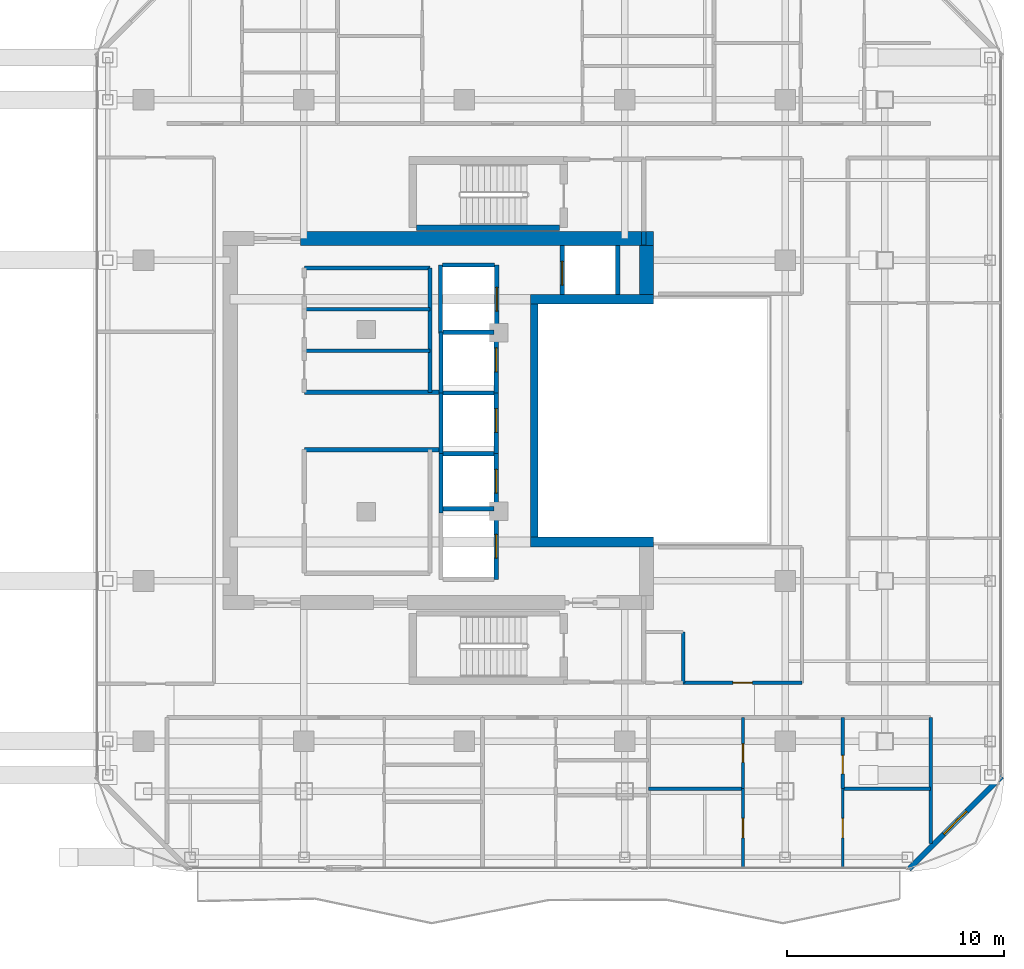
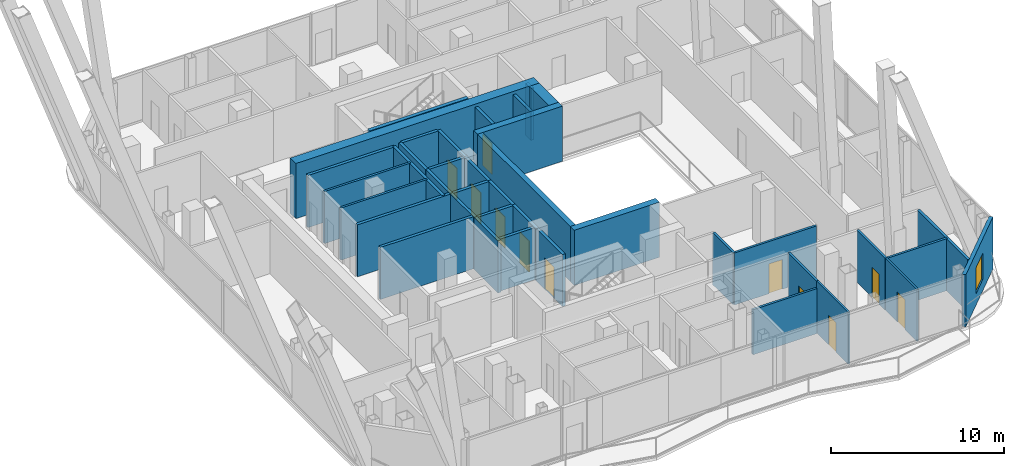
# One storey, part 22 of 27: 39 walls, 11 doors, 1 window, 12 openings.
"""IFC4 building model written with IfcOpenShell, lengths in metres."""

from ifc_helpers import new_model, si_unit, direction, frame, frame_2d, origin, place, context, subcontext, project, spatial, rectangle, extrude, material, layer, layer_set, type_object, element, fill, save


model = new_model("IFC4")

# Units and contexts
model_context = context("Model", 3, precision=1e-05, world=origin(), true_north=direction((0.0, 1.0)))
body_context = subcontext(model_context, "Body", "Model", "MODEL_VIEW")
ifc_project = project(units=[si_unit("LENGTHUNIT", "METRE"), si_unit("AREAUNIT", "SQUARE_METRE"), si_unit("VOLUMEUNIT", "CUBIC_METRE"), si_unit("PLANEANGLEUNIT", "RADIAN"), si_unit("MASSUNIT", "GRAM", prefix="KILO")], contexts=[model_context])

# Site, building, storey
site_placement = place(None, origin())
site = spatial("IfcSite", under=ifc_project, at=site_placement, CompositionType="ELEMENT")
building_placement = place(site_placement, origin())
building = spatial("IfcBuilding", under=site, at=building_placement, Name="Khorvyn Point Tower", CompositionType="ELEMENT")
storey_placement = place(building_placement, frame((0.0, 0.0, 270.300048828125)))
storey = spatial("IfcBuildingStorey", under=building, at=storey_placement, Name="L66", CompositionType="ELEMENT", Elevation=270.300048828125)

# Wall
ifc_material_1 = material(Name="Double acoustic gypsum on twin steel stud", Category="steel")
ifc_layer_1 = layer(ifc_material_1, 0.179931640625)
ifc_layer_set_1 = layer_set([ifc_layer_1], Name="Acoustic Double-Stud Apartment Demising Wall 180")
wall_type_1 = type_object("IfcWallType", Name="Acoustic Double-Stud Apartment Demising Wall 180", PredefinedType="PARTITIONING", material=ifc_layer_set_1)
wall_1_placement = place(storey_placement, frame((21.52001953125, -19.510009765625, 0.0), z_axis=(0.0, 0.0, 1.0), x_axis=(0.0, 1.0, 0.0)))
element("IfcWall", 1, at=wall_1_placement, inside=storey, type_object=wall_type_1, Name="Wall", PredefinedType="PARTITIONING", context=body_context, shape_type="SweptSolid", body=[
    extrude(rectangle(XDim=5.81005859375, YDim=0.179931640625, at=frame_2d((2.905029296875, 0.0))), origin(), (0.0, 0.0, 1.0), 3.679931640625),
])

# Wall, opening, window
ifc_material_2 = material(Name="Pale anodised aluminium rainscreen on steel stud", Category="steel")
ifc_layer_2 = layer(ifc_material_2, 0.239990234375)
ifc_layer_set_2 = layer_set([ifc_layer_2], Name="Anodised Aluminium Insulated Corner Spandrel Wall 240")
wall_type_2 = type_object("IfcWallType", Name="Anodised Aluminium Insulated Corner Spandrel Wall 240", PredefinedType="SOLIDWALL", material=ifc_layer_set_2)
wall_2_placement = place(storey_placement, frame((24.79248046875, -16.40771484375, 0.0), z_axis=(0.0, 0.0, 1.0), x_axis=(-0.707126925818, -0.707086635981, 0.0)))
wall_2 = element("IfcWall", 2, at=wall_2_placement, inside=storey, type_object=wall_type_2, Name="L66 Rounded Corner Wall SE", PredefinedType="SOLIDWALL", context=body_context, shape_type="SweptSolid", body=[
    extrude(rectangle(XDim=6.0595703125, YDim=0.239990234375, at=frame_2d((3.02978515625, 0.0))), origin(), (0.0, 0.0, 1.0), 3.679931640625),
])
opening_1_placement = place(wall_2_placement, frame((2.27978515625, 0.0, 0.800048828125)))
opening_1 = element("IfcOpeningElement", 3, at=opening_1_placement, cuts=wall_2, Name="Opening WN-1518", PredefinedType="OPENING", context=body_context, shape_type="SweptSolid", body=[
    extrude(rectangle(XDim=1.5, YDim=1.85009765625, at=frame_2d((0.75, 0.925048828125))), frame((0.0, 0.1298828125, 0.0), z_axis=(0.0, -1.0, 0.0), x_axis=(1.0, 0.0, 0.0)), (0.0, 0.0, 1.0), 0.260009765625),
])
ifc_material_3 = material(Name="Anodised aluminium 6063-T6 and laminated Low-E glass", Category="aluminium")
window_type = type_object("IfcWindowType", Name="Anodised Aluminium Rounded-Corner Panoramic Window 1500x1850", PartitioningType="SINGLE_PANEL", PredefinedType="WINDOW", material=ifc_material_3)
window_placement = place(opening_1_placement, origin())
window = element("IfcWindow", 4, at=window_placement, inside=storey, type_object=window_type, Name="L66 Corner Panoramic Window SE", OverallHeight=1.85009765625, OverallWidth=1.5, PartitioningType="SINGLE_PANEL", PredefinedType="WINDOW", context=body_context, shape_type="SweptSolid", body=[
    extrude(rectangle(XDim=1.5, YDim=1.85009765625, at=frame_2d((0.75, 0.925048828125))), frame((0.0, 0.030029296875, 0.0), z_axis=(0.0, -1.0, 0.0), x_axis=(1.0, 0.0, 0.0)), (0.0, 0.0, 1.0), 0.06005859375),
])
fill(opening_1, window)

# Walls
ifc_material_4 = material(Name="Concrete C40/50", Category="concrete")
ifc_layer_3 = layer(ifc_material_4, 0.449951171875)
ifc_layer_set_3 = layer_set([ifc_layer_3], Name="Concrete C40/50 Core Shear Wall 450")
wall_type_3 = type_object("IfcWallType", Name="Concrete C40/50 Core Shear Wall 450", PredefinedType="SHEAR", material=ifc_layer_set_3)
for number, where, z_axis, x_axis, name in (
    (5, (3.044921875, -5.60009765625, 0.0), (0.0, 0.0, 1.0), (1.0, 0.0, 0.0), "Wall"),
    (6, (3.044921875, 5.60009765625, 0.0), (0.0, 0.0, 1.0), (1.0, 0.0, 0.0), "Wall"),
):
    element("IfcWall", number, at=place(storey_placement, frame(where, z_axis=z_axis, x_axis=x_axis)), inside=storey, type_object=wall_type_3, Name=name, PredefinedType="SHEAR", context=body_context, shape_type="SweptSolid", body=[
        extrude(rectangle(XDim=5.68017578125, YDim=0.449951171875, at=frame_2d((2.840087890625, 0.0))), origin(), (0.0, 0.0, 1.0), 3.89990234375),
    ])
ifc_layer_4 = layer(ifc_material_4, 0.64990234375)
ifc_layer_set_4 = layer_set([ifc_layer_4], Name="Concrete C40/50 Core Shear Wall 650")
wall_type_4 = type_object("IfcWallType", Name="Concrete C40/50 Core Shear Wall 650", PredefinedType="SHEAR", material=ifc_layer_set_4)
wall_3_placement = place(storey_placement, frame((-7.550048828125, 8.39990234375, 0.0), z_axis=(0.0, 0.0, 1.0), x_axis=(1.0, 0.0, 0.0)))
element("IfcWall", 7, at=wall_3_placement, inside=storey, type_object=wall_type_4, Name="Wall", PredefinedType="SHEAR", context=body_context, shape_type="SweptSolid", body=[
    extrude(rectangle(XDim=16.275146484375, YDim=0.64990234375, at=frame_2d((8.1376953125, 0.0))), origin(), (0.0, 0.0, 1.0), 3.89990234375),
])
wall_4_placement = place(storey_placement, frame((8.39990234375, 5.824951171875, 0.0), z_axis=(0.0, 0.0, 1.0), x_axis=(0.0, 1.0, 0.0)))
element("IfcWall", 8, at=wall_4_placement, inside=storey, type_object=wall_type_4, Name="Wall", PredefinedType="SHEAR", context=body_context, shape_type="SweptSolid", body=[
    extrude(rectangle(XDim=2.25, YDim=0.64990234375, at=frame_2d((1.125, 0.0))), origin(), (0.0, 0.0, 1.0), 3.89990234375),
])
ifc_layer_5 = layer(ifc_material_4, 0.199951171875)
ifc_layer_set_5 = layer_set([ifc_layer_5], Name="Concrete C40/50 Fire-Lobby Compartment Wall 200")
wall_type_5 = type_object("IfcWallType", Name="Concrete C40/50 Fire-Lobby Compartment Wall 200", PredefinedType="SOLIDWALL", material=ifc_layer_set_5)
for number, where, z_axis, x_axis, name in (
    (9, (-7.3798828125, -1.340087890625, 0.0), (0.0, 0.0, 1.0), (1.0, 0.0, 0.0), "Wall"),
    (10, (-7.3798828125, 1.300048828125, 0.0), (0.0, 0.0, 1.0), (1.0, 0.0, 0.0), "Wall"),
):
    element("IfcWall", number, at=place(storey_placement, frame(where, z_axis=z_axis, x_axis=x_axis)), inside=storey, type_object=wall_type_5, Name=name, PredefinedType="SOLIDWALL", context=body_context, shape_type="SweptSolid", body=[
        extrude(rectangle(XDim=6.239990234375, YDim=0.199951171875, at=frame_2d((3.1201171875, 0.0))), origin(), (0.0, 0.0, 1.0), 3.679931640625),
    ])
wall_5_placement = place(storey_placement, frame((-1.580078125, 1.300048828125, 0.0), z_axis=(0.0, 0.0, 1.0), x_axis=(0.0, 1.0, 0.0)))
element("IfcWall", 11, at=wall_5_placement, inside=storey, type_object=wall_type_5, Name="Wall", PredefinedType="SOLIDWALL", context=body_context, shape_type="SweptSolid", body=[
    extrude(rectangle(XDim=5.739990234375, YDim=0.199951171875, at=frame_2d((2.8701171875, 0.0))), origin(), (0.0, 0.0, 1.0), 3.679931640625),
])
wall_6_placement = place(storey_placement, frame((-7.3798828125, 7.0400390625, 0.0), z_axis=(0.0, 0.0, 1.0), x_axis=(1.0, 0.0, 0.0)))
element("IfcWall", 12, at=wall_6_placement, inside=storey, type_object=wall_type_5, Name="Wall", PredefinedType="SOLIDWALL", context=body_context, shape_type="SweptSolid", body=[
    extrude(rectangle(XDim=5.7998046875, YDim=0.199951171875, at=frame_2d((2.89990234375, 0.0))), origin(), (0.0, 0.0, 1.0), 3.679931640625),
])
wall_7_placement = place(storey_placement, frame((8.280029296875, 8.10009765625, 0.0), z_axis=(0.0, 0.0, 1.0), x_axis=(0.0, 1.0, 0.0)))
element("IfcWall", 13, at=wall_7_placement, inside=storey, type_object=wall_type_5, Name="Wall", PredefinedType="SOLIDWALL", context=body_context, shape_type="SweptSolid", body=[
    extrude(rectangle(XDim=0.625, YDim=0.199951171875, at=frame_2d((0.3125, 0.0))), origin(), (0.0, 0.0, 1.0), 3.679931640625),
])
ifc_layer_6 = layer(ifc_material_4, 0.25)
ifc_layer_set_6 = layer_set([ifc_layer_6], Name="Concrete C40/50 Stair Inner Cheek Structural Wall 250")
wall_type_6 = type_object("IfcWallType", Name="Concrete C40/50 Stair Inner Cheek Structural Wall 250", PredefinedType="SHEAR", material=ifc_layer_set_6)
wall_8_placement = place(storey_placement, frame((-2.199951171875, 8.89990234375, 0.0), z_axis=(0.0, 0.0, 1.0), x_axis=(1.0, 0.0, 0.0)))
element("IfcWall", 14, at=wall_8_placement, inside=storey, type_object=wall_type_6, Name="Wall", PredefinedType="SHEAR", context=body_context, shape_type="SweptSolid", body=[
    extrude(rectangle(XDim=6.599853515625, YDim=0.25, at=frame_2d((3.2998046875, 0.0))), origin(), (0.0, 0.0, 1.0), 3.89990234375),
])
ifc_layer_7 = layer(ifc_material_4, 0.35009765625)
ifc_layer_set_7 = layer_set([ifc_layer_7], Name="Concrete C40/50 Stair Shaft Structural Wall 350")
wall_type_7 = type_object("IfcWallType", Name="Concrete C40/50 Stair Shaft Structural Wall 350", PredefinedType="SHEAR", material=ifc_layer_set_7)
wall_9_placement = place(storey_placement, frame((3.219970703125, -5.375, 0.0), z_axis=(0.0, 0.0, 1.0), x_axis=(0.0, 1.0, 0.0)))
element("IfcWall", 15, at=wall_9_placement, inside=storey, type_object=wall_type_7, Name="Wall", PredefinedType="SHEAR", context=body_context, shape_type="SweptSolid", body=[
    extrude(rectangle(XDim=10.75, YDim=0.35009765625, at=frame_2d((5.375, 0.0))), origin(), (0.0, 0.0, 1.0), 3.89990234375),
])
ifc_layer_8 = layer(ifc_material_4, 0.199951171875)
ifc_layer_set_8 = layer_set([ifc_layer_8], Name="Concrete C40/50 Structural Hoistway and Stair Shaft Wall 200")
wall_type_8 = type_object("IfcWallType", Name="Concrete C40/50 Structural Hoistway and Stair Shaft Wall 200", PredefinedType="SHEAR", material=ifc_layer_set_8)
wall_10_placement = place(storey_placement, frame((-1.074951171875, -4.27490234375, 0.0), z_axis=(0.0, 0.0, 1.0), x_axis=(0.0, 1.0, 0.0)))
element("IfcWall", 16, at=wall_10_placement, inside=storey, type_object=wall_type_8, Name="Wall", PredefinedType="SHEAR", context=body_context, shape_type="SweptSolid", body=[
    extrude(rectangle(XDim=2.75, YDim=0.199951171875, at=frame_2d((1.375, 0.0))), origin(), (0.0, 0.0, 1.0), 3.679931640625),
])

# Wall, opening, door
wall_11_placement = place(storey_placement, frame((1.47509765625, -4.27490234375, 0.0), z_axis=(0.0, 0.0, 1.0), x_axis=(0.0, 1.0, 0.0)))
wall_11 = element("IfcWall", 17, at=wall_11_placement, inside=storey, type_object=wall_type_8, Name="Wall", PredefinedType="SHEAR", context=body_context, shape_type="SweptSolid", body=[
    extrude(rectangle(XDim=2.75, YDim=0.199951171875, at=frame_2d((1.375, 0.0))), origin(), (0.0, 0.0, 1.0), 3.679931640625),
])
opening_2_placement = place(wall_11_placement, frame((0.925048828125, 0.0, 0.0)))
opening_2 = element("IfcOpeningElement", 18, at=opening_2_placement, cuts=wall_11, Name="Opening LD-1122", PredefinedType="OPENING", context=body_context, shape_type="SweptSolid", body=[
    extrude(rectangle(XDim=1.10009765625, YDim=2.199951171875, at=frame_2d((0.550048828125, 1.10009765625))), frame((0.0, 0.10986328125, 0.0), z_axis=(0.0, -1.0, 0.0), x_axis=(1.0, 0.0, 0.0)), (0.0, 0.0, 1.0), 0.219970703125),
])
ifc_material_5 = material(Name="Stainless steel 1.4301", Category="steel")
door_type_1 = type_object("IfcDoorType", Name="Stainless Steel Automatic Sliding Lift Landing Door 1100x2200", OperationType="SLIDING_TO_LEFT", PredefinedType="DOOR", material=ifc_material_5)
door_1_placement = place(opening_2_placement, origin())
door_1 = element("IfcDoor", 19, at=door_1_placement, inside=storey, type_object=door_type_1, Name="L66 RH-01 Sliding Lift Landing Door", OperationType="SLIDING_TO_LEFT", OverallHeight=2.199951171875, OverallWidth=1.10009765625, PredefinedType="DOOR", context=body_context, shape_type="SweptSolid", body=[
    extrude(rectangle(XDim=1.10009765625, YDim=2.199951171875, at=frame_2d((0.550048828125, 1.10009765625))), frame((0.0, 0.02490234375, 0.0), z_axis=(0.0, -1.0, 0.0), x_axis=(1.0, 0.0, 0.0)), (0.0, 0.0, 1.0), 0.050048828125),
])
fill(opening_2, door_1)

# Walls
for number, where, z_axis, x_axis, name in (
    (20, (-0.97509765625, -4.074951171875, 0.0), (0.0, 0.0, 1.0), (1.0, 0.0, 0.0), "Wall"),
    (21, (-0.97509765625, -1.52490234375, 0.0), (0.0, 0.0, 1.0), (1.0, 0.0, 0.0), "Wall"),
):
    element("IfcWall", number, at=place(storey_placement, frame(where, z_axis=z_axis, x_axis=x_axis)), inside=storey, type_object=wall_type_8, Name=name, PredefinedType="SHEAR", context=body_context, shape_type="SweptSolid", body=[
        extrude(rectangle(XDim=2.35009765625, YDim=0.199951171875, at=frame_2d((1.175048828125, 0.0))), origin(), (0.0, 0.0, 1.0), 3.679931640625),
    ])
wall_12_placement = place(storey_placement, frame((-1.074951171875, -1.52490234375, 0.0), z_axis=(0.0, 0.0, 1.0), x_axis=(0.0, 1.0, 0.0)))
element("IfcWall", 22, at=wall_12_placement, inside=storey, type_object=wall_type_8, Name="Wall", PredefinedType="SHEAR", context=body_context, shape_type="SweptSolid", body=[
    extrude(rectangle(XDim=2.7998046875, YDim=0.199951171875, at=frame_2d((1.39990234375, 0.0))), origin(), (0.0, 0.0, 1.0), 3.679931640625),
])

# Wall, opening, door
wall_13_placement = place(storey_placement, frame((1.47509765625, -1.52490234375, 0.0), z_axis=(0.0, 0.0, 1.0), x_axis=(0.0, 1.0, 0.0)))
wall_13 = element("IfcWall", 23, at=wall_13_placement, inside=storey, type_object=wall_type_8, Name="Wall", PredefinedType="SHEAR", context=body_context, shape_type="SweptSolid", body=[
    extrude(rectangle(XDim=2.7998046875, YDim=0.199951171875, at=frame_2d((1.39990234375, 0.0))), origin(), (0.0, 0.0, 1.0), 3.679931640625),
])
opening_3_placement = place(wall_13_placement, frame((0.97509765625, 0.0, 0.0)))
opening_3 = element("IfcOpeningElement", 24, at=opening_3_placement, cuts=wall_13, Name="Opening LD-1122", PredefinedType="OPENING", context=body_context, shape_type="SweptSolid", body=[
    extrude(rectangle(XDim=1.10009765625, YDim=2.199951171875, at=frame_2d((0.550048828125, 1.10009765625))), frame((0.0, 0.10986328125, 0.0), z_axis=(0.0, -1.0, 0.0), x_axis=(1.0, 0.0, 0.0)), (0.0, 0.0, 1.0), 0.219970703125),
])
door_2_placement = place(opening_3_placement, origin())
door_2 = element("IfcDoor", 25, at=door_2_placement, inside=storey, type_object=door_type_1, Name="L66 RH-02 Sliding Lift Landing Door", OperationType="SLIDING_TO_LEFT", OverallHeight=2.199951171875, OverallWidth=1.10009765625, PredefinedType="DOOR", context=body_context, shape_type="SweptSolid", body=[
    extrude(rectangle(XDim=1.10009765625, YDim=2.199951171875, at=frame_2d((0.550048828125, 1.10009765625))), frame((0.0, 0.02490234375, 0.0), z_axis=(0.0, -1.0, 0.0), x_axis=(1.0, 0.0, 0.0)), (0.0, 0.0, 1.0), 0.050048828125),
])
fill(opening_3, door_2)

# Walls
wall_14_placement = place(storey_placement, frame((-0.97509765625, 1.27490234375, 0.0), z_axis=(0.0, 0.0, 1.0), x_axis=(1.0, 0.0, 0.0)))
element("IfcWall", 26, at=wall_14_placement, inside=storey, type_object=wall_type_8, Name="Wall", PredefinedType="SHEAR", context=body_context, shape_type="SweptSolid", body=[
    extrude(rectangle(XDim=2.35009765625, YDim=0.199951171875, at=frame_2d((1.175048828125, 0.0))), origin(), (0.0, 0.0, 1.0), 3.679931640625),
])
wall_15_placement = place(storey_placement, frame((-1.074951171875, 1.27490234375, 0.0), z_axis=(0.0, 0.0, 1.0), x_axis=(0.0, 1.0, 0.0)))
element("IfcWall", 27, at=wall_15_placement, inside=storey, type_object=wall_type_8, Name="Wall", PredefinedType="SHEAR", context=body_context, shape_type="SweptSolid", body=[
    extrude(rectangle(XDim=2.800048828125, YDim=0.199951171875, at=frame_2d((1.39990234375, 0.0))), origin(), (0.0, 0.0, 1.0), 3.679931640625),
])

# Wall, opening, door
wall_16_placement = place(storey_placement, frame((1.47509765625, 1.27490234375, 0.0), z_axis=(0.0, 0.0, 1.0), x_axis=(0.0, 1.0, 0.0)))
wall_16 = element("IfcWall", 28, at=wall_16_placement, inside=storey, type_object=wall_type_8, Name="Wall", PredefinedType="SHEAR", context=body_context, shape_type="SweptSolid", body=[
    extrude(rectangle(XDim=2.800048828125, YDim=0.199951171875, at=frame_2d((1.39990234375, 0.0))), origin(), (0.0, 0.0, 1.0), 3.679931640625),
])
opening_4_placement = place(wall_16_placement, frame((0.97509765625, 0.0, 0.0)))
opening_4 = element("IfcOpeningElement", 29, at=opening_4_placement, cuts=wall_16, Name="Opening LD-1122", PredefinedType="OPENING", context=body_context, shape_type="SweptSolid", body=[
    extrude(rectangle(XDim=1.10009765625, YDim=2.199951171875, at=frame_2d((0.550048828125, 1.10009765625))), frame((0.0, 0.10986328125, 0.0), z_axis=(0.0, -1.0, 0.0), x_axis=(1.0, 0.0, 0.0)), (0.0, 0.0, 1.0), 0.219970703125),
])
door_3_placement = place(opening_4_placement, origin())
door_3 = element("IfcDoor", 30, at=door_3_placement, inside=storey, type_object=door_type_1, Name="L66 RH-03 Sliding Lift Landing Door", OperationType="SLIDING_TO_LEFT", OverallHeight=2.199951171875, OverallWidth=1.10009765625, PredefinedType="DOOR", context=body_context, shape_type="SweptSolid", body=[
    extrude(rectangle(XDim=1.10009765625, YDim=2.199951171875, at=frame_2d((0.550048828125, 1.10009765625))), frame((0.0, 0.02490234375, 0.0), z_axis=(0.0, -1.0, 0.0), x_axis=(1.0, 0.0, 0.0)), (0.0, 0.0, 1.0), 0.050048828125),
])
fill(opening_4, door_3)

# Walls
wall_17_placement = place(storey_placement, frame((-0.97509765625, 4.074951171875, 0.0), z_axis=(0.0, 0.0, 1.0), x_axis=(1.0, 0.0, 0.0)))
element("IfcWall", 31, at=wall_17_placement, inside=storey, type_object=wall_type_8, Name="Wall", PredefinedType="SHEAR", context=body_context, shape_type="SweptSolid", body=[
    extrude(rectangle(XDim=2.35009765625, YDim=0.199951171875, at=frame_2d((1.175048828125, 0.0))), origin(), (0.0, 0.0, 1.0), 3.679931640625),
])
wall_18_placement = place(storey_placement, frame((-1.10009765625, 4.02490234375, 0.0), z_axis=(0.0, 0.0, 1.0), x_axis=(0.0, 1.0, 0.0)))
element("IfcWall", 32, at=wall_18_placement, inside=storey, type_object=wall_type_8, Name="Wall", PredefinedType="SHEAR", context=body_context, shape_type="SweptSolid", body=[
    extrude(rectangle(XDim=3.150146484375, YDim=0.199951171875, at=frame_2d((1.5751953125, 0.0))), origin(), (0.0, 0.0, 1.0), 3.679931640625),
])

# Wall, opening, door
wall_19_placement = place(storey_placement, frame((1.5, 4.02490234375, 0.0), z_axis=(0.0, 0.0, 1.0), x_axis=(0.0, 1.0, 0.0)))
wall_19 = element("IfcWall", 33, at=wall_19_placement, inside=storey, type_object=wall_type_8, Name="Wall", PredefinedType="SHEAR", context=body_context, shape_type="SweptSolid", body=[
    extrude(rectangle(XDim=3.150146484375, YDim=0.199951171875, at=frame_2d((1.5751953125, 0.0))), origin(), (0.0, 0.0, 1.0), 3.679931640625),
])
opening_5_placement = place(wall_19_placement, frame((1.02490234375, 0.0, 0.0)))
opening_5 = element("IfcOpeningElement", 34, at=opening_5_placement, cuts=wall_19, Name="Opening LD-1122", PredefinedType="OPENING", context=body_context, shape_type="SweptSolid", body=[
    extrude(rectangle(XDim=1.10009765625, YDim=2.199951171875, at=frame_2d((0.550048828125, 1.10009765625))), frame((0.0, 0.10986328125, 0.0), z_axis=(0.0, -1.0, 0.0), x_axis=(1.0, 0.0, 0.0)), (0.0, 0.0, 1.0), 0.219970703125),
])
door_4_placement = place(opening_5_placement, origin())
door_4 = element("IfcDoor", 35, at=door_4_placement, inside=storey, type_object=door_type_1, Name="L66 SV-01 Sliding Lift Landing Door", OperationType="SLIDING_TO_LEFT", OverallHeight=2.199951171875, OverallWidth=1.10009765625, PredefinedType="DOOR", context=body_context, shape_type="SweptSolid", body=[
    extrude(rectangle(XDim=1.10009765625, YDim=2.199951171875, at=frame_2d((0.550048828125, 1.10009765625))), frame((0.0, 0.02490234375, 0.0), z_axis=(0.0, -1.0, 0.0), x_axis=(1.0, 0.0, 0.0)), (0.0, 0.0, 1.0), 0.050048828125),
])
fill(opening_5, door_4)

# Wall
wall_20_placement = place(storey_placement, frame((-1.0, 7.175048828125, 0.0), z_axis=(0.0, 0.0, 1.0), x_axis=(1.0, 0.0, 0.0)))
element("IfcWall", 36, at=wall_20_placement, inside=storey, type_object=wall_type_8, Name="Wall", PredefinedType="SHEAR", context=body_context, shape_type="SweptSolid", body=[
    extrude(rectangle(XDim=2.39990234375, YDim=0.199951171875, at=frame_2d((1.199951171875, 0.0))), origin(), (0.0, 0.0, 1.0), 3.679931640625),
])

# Wall, opening, door
wall_21_placement = place(storey_placement, frame((1.47509765625, -7.324951171875, 0.0), z_axis=(0.0, 0.0, 1.0), x_axis=(0.0, 1.0, 0.0)))
wall_21 = element("IfcWall", 37, at=wall_21_placement, inside=storey, type_object=wall_type_8, Name="Wall", PredefinedType="SHEAR", context=body_context, shape_type="SweptSolid", body=[
    extrude(rectangle(XDim=3.050048828125, YDim=0.199951171875, at=frame_2d((1.52490234375, 0.0))), origin(), (0.0, 0.0, 1.0), 3.679931640625),
])
opening_6_placement = place(wall_21_placement, frame((0.97509765625, 0.0, 0.0)))
opening_6 = element("IfcOpeningElement", 38, at=opening_6_placement, cuts=wall_21, Name="Opening LD-1122", PredefinedType="OPENING", context=body_context, shape_type="SweptSolid", body=[
    extrude(rectangle(XDim=1.10009765625, YDim=2.199951171875, at=frame_2d((0.550048828125, 1.10009765625))), frame((0.0, 0.10986328125, 0.0), z_axis=(0.0, -1.0, 0.0), x_axis=(1.0, 0.0, 0.0)), (0.0, 0.0, 1.0), 0.219970703125),
])
door_5_placement = place(opening_6_placement, origin())
door_5 = element("IfcDoor", 39, at=door_5_placement, inside=storey, type_object=door_type_1, Name="L66 FF-01 Sliding Lift Landing Door", OperationType="SLIDING_TO_LEFT", OverallHeight=2.199951171875, OverallWidth=1.10009765625, PredefinedType="DOOR", context=body_context, shape_type="SweptSolid", body=[
    extrude(rectangle(XDim=1.10009765625, YDim=2.199951171875, at=frame_2d((0.550048828125, 1.10009765625))), frame((0.0, 0.02490234375, 0.0), z_axis=(0.0, -1.0, 0.0), x_axis=(1.0, 0.0, 0.0)), (0.0, 0.0, 1.0), 0.050048828125),
])
fill(opening_6, door_5)

wall_22_placement = place(storey_placement, frame((4.52490234375, 5.824951171875, 0.0), z_axis=(0.0, 0.0, 1.0), x_axis=(0.0, 1.0, 0.0)))
wall_22 = element("IfcWall", 40, at=wall_22_placement, inside=storey, type_object=wall_type_8, Name="Wall", PredefinedType="SHEAR", context=body_context, shape_type="SweptSolid", body=[
    extrude(rectangle(XDim=2.25, YDim=0.199951171875, at=frame_2d((1.125, 0.0))), origin(), (0.0, 0.0, 1.0), 3.679931640625),
])
opening_7_placement = place(wall_22_placement, frame((0.425048828125, 0.0, 0.0)))
opening_7 = element("IfcOpeningElement", 41, at=opening_7_placement, cuts=wall_22, Name="Opening LD-1122", PredefinedType="OPENING", context=body_context, shape_type="SweptSolid", body=[
    extrude(rectangle(XDim=1.10009765625, YDim=2.199951171875, at=frame_2d((0.550048828125, 1.10009765625))), frame((0.0, 0.10986328125, 0.0), z_axis=(0.0, -1.0, 0.0), x_axis=(1.0, 0.0, 0.0)), (0.0, 0.0, 1.0), 0.219970703125),
])
door_6_placement = place(opening_7_placement, origin())
door_6 = element("IfcDoor", 42, at=door_6_placement, inside=storey, type_object=door_type_1, Name="L66 FF-02 Sliding Lift Landing Door", OperationType="SLIDING_TO_LEFT", OverallHeight=2.199951171875, OverallWidth=1.10009765625, PredefinedType="DOOR", context=body_context, shape_type="SweptSolid", body=[
    extrude(rectangle(XDim=1.10009765625, YDim=2.199951171875, at=frame_2d((0.550048828125, 1.10009765625))), frame((0.0, 0.02490234375, 0.0), z_axis=(0.0, -1.0, 0.0), x_axis=(1.0, 0.0, 0.0)), (0.0, 0.0, 1.0), 0.050048828125),
])
fill(opening_7, door_6)

# Wall
wall_23_placement = place(storey_placement, frame((7.074951171875, 5.824951171875, 0.0), z_axis=(0.0, 0.0, 1.0), x_axis=(0.0, 1.0, 0.0)))
element("IfcWall", 43, at=wall_23_placement, inside=storey, type_object=wall_type_8, Name="Wall", PredefinedType="SHEAR", context=body_context, shape_type="SweptSolid", body=[
    extrude(rectangle(XDim=2.25, YDim=0.199951171875, at=frame_2d((1.125, 0.0))), origin(), (0.0, 0.0, 1.0), 3.679931640625),
])

# Wall, opening, door
ifc_material_6 = material(Name="Gypsum plasterboard on steel stud", Category="steel")
ifc_layer_9 = layer(ifc_material_6, 0.1201171875)
ifc_layer_set_9 = layer_set([ifc_layer_9], Name="Gypsum Acoustic Stud Room Partition Wall 120")
wall_type_9 = type_object("IfcWallType", Name="Gypsum Acoustic Stud Room Partition Wall 120", PredefinedType="PARTITIONING", material=ifc_layer_set_9)
wall_24_placement = place(storey_placement, frame((12.860107421875, -20.6298828125, 0.0), z_axis=(0.0, 0.0, 1.0), x_axis=(0.0, 1.0, 0.0)))
wall_24 = element("IfcWall", 44, at=wall_24_placement, inside=storey, type_object=wall_type_9, Name="Wall", PredefinedType="PARTITIONING", context=body_context, shape_type="SweptSolid", body=[
    extrude(rectangle(XDim=3.64697265625, YDim=0.1201171875, at=frame_2d((1.823486328125, 0.0))), origin(), (0.0, 0.0, 1.0), 3.679931640625),
])
opening_8_placement = place(wall_24_placement, frame((1.37353515625, 0.0, 0.0)))
opening_8 = element("IfcOpeningElement", 45, at=opening_8_placement, cuts=wall_24, Name="Opening ID-RM90", PredefinedType="OPENING", context=body_context, shape_type="SweptSolid", body=[
    extrude(rectangle(XDim=0.89990234375, YDim=2.10009765625, at=frame_2d((0.449951171875, 1.050048828125))), frame((0.0, 0.070068359375, 0.0), z_axis=(0.0, -1.0, 0.0), x_axis=(1.0, 0.0, 0.0)), (0.0, 0.0, 1.0), 0.14013671875),
])
ifc_material_7 = material(Name="Engineered oak veneer timber", Category="wood")
door_type_2 = type_object("IfcDoorType", Name="Flush Engineered Timber Room Door 900x2100", OperationType="NOTDEFINED", PredefinedType="DOOR", material=ifc_material_7)
door_7_placement = place(opening_8_placement, origin())
door_7 = element("IfcDoor", 46, at=door_7_placement, inside=storey, type_object=door_type_2, Name="Door", OperationType="SINGLE_SWING_RIGHT", OverallHeight=2.10009765625, OverallWidth=0.89990234375, PredefinedType="DOOR", context=body_context, shape_type="SweptSolid", body=[
    extrude(rectangle(XDim=0.89990234375, YDim=2.10009765625, at=frame_2d((0.449951171875, 1.050048828125))), frame((0.0, 0.02490234375, 0.0), z_axis=(0.0, -1.0, 0.0), x_axis=(1.0, 0.0, 0.0)), (0.0, 0.0, 1.0), 0.050048828125),
])
fill(opening_8, door_7)

wall_25_placement = place(storey_placement, frame((17.458984375, -20.6298828125, 0.0), z_axis=(0.0, 0.0, 1.0), x_axis=(0.0, 1.0, 0.0)))
wall_25 = element("IfcWall", 47, at=wall_25_placement, inside=storey, type_object=wall_type_9, Name="Wall", PredefinedType="PARTITIONING", context=body_context, shape_type="SweptSolid", body=[
    extrude(rectangle(XDim=3.64697265625, YDim=0.1201171875, at=frame_2d((1.823486328125, 0.0))), origin(), (0.0, 0.0, 1.0), 3.679931640625),
])
opening_9_placement = place(wall_25_placement, frame((1.37353515625, 0.0, 0.0)))
opening_9 = element("IfcOpeningElement", 48, at=opening_9_placement, cuts=wall_25, Name="Opening ID-RM90", PredefinedType="OPENING", context=body_context, shape_type="SweptSolid", body=[
    extrude(rectangle(XDim=0.89990234375, YDim=2.10009765625, at=frame_2d((0.449951171875, 1.050048828125))), frame((0.0, 0.070068359375, 0.0), z_axis=(0.0, -1.0, 0.0), x_axis=(1.0, 0.0, 0.0)), (0.0, 0.0, 1.0), 0.14013671875),
])
door_8_placement = place(opening_9_placement, origin())
door_8 = element("IfcDoor", 49, at=door_8_placement, inside=storey, type_object=door_type_2, Name="Door", OperationType="SINGLE_SWING_RIGHT", OverallHeight=2.10009765625, OverallWidth=0.89990234375, PredefinedType="DOOR", context=body_context, shape_type="SweptSolid", body=[
    extrude(rectangle(XDim=0.89990234375, YDim=2.10009765625, at=frame_2d((0.449951171875, 1.050048828125))), frame((0.0, 0.02490234375, 0.0), z_axis=(0.0, -1.0, 0.0), x_axis=(1.0, 0.0, 0.0)), (0.0, 0.0, 1.0), 0.050048828125),
])
fill(opening_9, door_8)

ifc_material_8 = material(Name="Moisture-resistant gypsum and cement board", Category="gypsum")
ifc_layer_10 = layer(ifc_material_8, 0.14990234375)
ifc_layer_set_10 = layer_set([ifc_layer_10], Name="Moisture-Resistant Wet-Room Partition Wall 150")
wall_type_10 = type_object("IfcWallType", Name="Moisture-Resistant Wet-Room Partition Wall 150", PredefinedType="PARTITIONING", material=ifc_layer_set_10)
wall_26_placement = place(storey_placement, frame((10.10009765625, -12.10009765625, 0.0), z_axis=(0.0, 0.0, 1.0), x_axis=(1.0, 0.0, 0.0)))
wall_26 = element("IfcWall", 50, at=wall_26_placement, inside=storey, type_object=wall_type_10, Name="Wall", PredefinedType="PARTITIONING", context=body_context, shape_type="SweptSolid", body=[
    extrude(rectangle(XDim=5.47998046875, YDim=0.14990234375, at=frame_2d((2.739990234375, 0.0))), origin(), (0.0, 0.0, 1.0), 3.679931640625),
])
opening_10_placement = place(wall_26_placement, frame((2.2900390625, 0.0, 0.0)))
opening_10 = element("IfcOpeningElement", 51, at=opening_10_placement, cuts=wall_26, Name="Opening ID-RM90", PredefinedType="OPENING", context=body_context, shape_type="SweptSolid", body=[
    extrude(rectangle(XDim=0.89990234375, YDim=2.10009765625, at=frame_2d((0.449951171875, 1.050048828125))), frame((0.0, 0.0849609375, 0.0), z_axis=(0.0, -1.0, 0.0), x_axis=(1.0, 0.0, 0.0)), (0.0, 0.0, 1.0), 0.169921875),
])
door_9_placement = place(opening_10_placement, origin())
door_9 = element("IfcDoor", 52, at=door_9_placement, inside=storey, type_object=door_type_2, Name="Door", OperationType="SINGLE_SWING_LEFT", OverallHeight=2.10009765625, OverallWidth=0.89990234375, PredefinedType="DOOR", context=body_context, shape_type="SweptSolid", body=[
    extrude(rectangle(XDim=0.89990234375, YDim=2.10009765625, at=frame_2d((0.449951171875, 1.050048828125))), frame((0.0, 0.02490234375, 0.0), z_axis=(0.0, -1.0, 0.0), x_axis=(1.0, 0.0, 0.0)), (0.0, 0.0, 1.0), 0.050048828125),
])
fill(opening_10, door_9)

wall_27_placement = place(storey_placement, frame((12.860107421875, -16.98291015625, 0.0), z_axis=(0.0, 0.0, 1.0), x_axis=(0.0, 1.0, 0.0)))
wall_27 = element("IfcWall", 53, at=wall_27_placement, inside=storey, type_object=wall_type_10, Name="Wall", PredefinedType="PARTITIONING", context=body_context, shape_type="SweptSolid", body=[
    extrude(rectangle(XDim=3.282958984375, YDim=0.14990234375, at=frame_2d((1.6416015625, 0.0))), origin(), (0.0, 0.0, 1.0), 3.679931640625),
])
opening_11_placement = place(wall_27_placement, frame((1.216552734375, 0.0, 0.0)))
opening_11 = element("IfcOpeningElement", 54, at=opening_11_placement, cuts=wall_27, Name="Opening ID-WC85", PredefinedType="OPENING", context=body_context, shape_type="SweptSolid", body=[
    extrude(rectangle(XDim=0.85009765625, YDim=2.10009765625, at=frame_2d((0.425048828125, 1.050048828125))), frame((0.0, 0.0849609375, 0.0), z_axis=(0.0, -1.0, 0.0), x_axis=(1.0, 0.0, 0.0)), (0.0, 0.0, 1.0), 0.169921875),
])
ifc_material_9 = material(Name="High-pressure laminate on moisture-resistant core", Category="wood")
door_type_3 = type_object("IfcDoorType", Name="Moisture-Resistant Accessible Washroom Door 850x2100", OperationType="NOTDEFINED", PredefinedType="DOOR", material=ifc_material_9)
door_10_placement = place(opening_11_placement, origin())
door_10 = element("IfcDoor", 55, at=door_10_placement, inside=storey, type_object=door_type_3, Name="Door", OperationType="SINGLE_SWING_LEFT", OverallHeight=2.10009765625, OverallWidth=0.85009765625, PredefinedType="DOOR", context=body_context, shape_type="SweptSolid", body=[
    extrude(rectangle(XDim=0.85009765625, YDim=2.10009765625, at=frame_2d((0.425048828125, 1.050048828125))), frame((0.0, 0.02490234375, 0.0), z_axis=(0.0, -1.0, 0.0), x_axis=(1.0, 0.0, 0.0)), (0.0, 0.0, 1.0), 0.050048828125),
])
fill(opening_11, door_10)

wall_28_placement = place(storey_placement, frame((17.458984375, -16.98291015625, 0.0), z_axis=(0.0, 0.0, 1.0), x_axis=(0.0, 1.0, 0.0)))
wall_28 = element("IfcWall", 56, at=wall_28_placement, inside=storey, type_object=wall_type_10, Name="Wall", PredefinedType="PARTITIONING", context=body_context, shape_type="SweptSolid", body=[
    extrude(rectangle(XDim=3.282958984375, YDim=0.14990234375, at=frame_2d((1.6416015625, 0.0))), origin(), (0.0, 0.0, 1.0), 3.679931640625),
])
opening_12_placement = place(wall_28_placement, frame((0.688232421875, 0.0, 0.0)))
opening_12 = element("IfcOpeningElement", 57, at=opening_12_placement, cuts=wall_28, Name="Opening ID-WC85", PredefinedType="OPENING", context=body_context, shape_type="SweptSolid", body=[
    extrude(rectangle(XDim=0.85009765625, YDim=2.10009765625, at=frame_2d((0.425048828125, 1.050048828125))), frame((0.0, 0.0849609375, 0.0), z_axis=(0.0, -1.0, 0.0), x_axis=(1.0, 0.0, 0.0)), (0.0, 0.0, 1.0), 0.169921875),
])
door_11_placement = place(opening_12_placement, origin())
door_11 = element("IfcDoor", 58, at=door_11_placement, inside=storey, type_object=door_type_3, Name="Door", OperationType="SINGLE_SWING_LEFT", OverallHeight=2.10009765625, OverallWidth=0.85009765625, PredefinedType="DOOR", context=body_context, shape_type="SweptSolid", body=[
    extrude(rectangle(XDim=0.85009765625, YDim=2.10009765625, at=frame_2d((0.425048828125, 1.050048828125))), frame((0.0, 0.02490234375, 0.0), z_axis=(0.0, -1.0, 0.0), x_axis=(1.0, 0.0, 0.0)), (0.0, 0.0, 1.0), 0.050048828125),
])
fill(opening_12, door_11)

# Walls
for number, where, z_axis, x_axis, name in (
    (59, (-7.3798828125, 3.219970703125, 0.0), (0.0, 0.0, 1.0), (1.0, 0.0, 0.0), "Wall"),
    (60, (-7.3798828125, 5.139892578125, 0.0), (0.0, 0.0, 1.0), (1.0, 0.0, 0.0), "Wall"),
):
    element("IfcWall", number, at=place(storey_placement, frame(where, z_axis=z_axis, x_axis=x_axis)), inside=storey, type_object=wall_type_10, Name=name, PredefinedType="PARTITIONING", context=body_context, shape_type="SweptSolid", body=[
        extrude(rectangle(XDim=5.7998046875, YDim=0.14990234375, at=frame_2d((2.89990234375, 0.0))), origin(), (0.0, 0.0, 1.0), 3.679931640625),
    ])
wall_29_placement = place(storey_placement, frame((10.10009765625, -12.10009765625, 0.0), z_axis=(0.0, 0.0, 1.0), x_axis=(0.0, 1.0, 0.0)))
element("IfcWall", 61, at=wall_29_placement, inside=storey, type_object=wall_type_10, Name="Wall", PredefinedType="PARTITIONING", context=body_context, shape_type="SweptSolid", body=[
    extrude(rectangle(XDim=2.35009765625, YDim=0.14990234375, at=frame_2d((1.175048828125, 0.0))), origin(), (0.0, 0.0, 1.0), 3.679931640625),
])
wall_30_placement = place(storey_placement, frame((8.5048828125, -16.98291015625, 0.0), z_axis=(0.0, 0.0, 1.0), x_axis=(1.0, 0.0, 0.0)))
element("IfcWall", 62, at=wall_30_placement, inside=storey, type_object=wall_type_10, Name="Wall", PredefinedType="PARTITIONING", context=body_context, shape_type="SweptSolid", body=[
    extrude(rectangle(XDim=4.355224609375, YDim=0.14990234375, at=frame_2d((2.177734375, 0.0))), origin(), (0.0, 0.0, 1.0), 3.181884765625),
])
wall_31_placement = place(storey_placement, frame((17.458984375, -16.98291015625, 0.0), z_axis=(0.0, 0.0, 1.0), x_axis=(1.0, 0.0, 0.0)))
element("IfcWall", 63, at=wall_31_placement, inside=storey, type_object=wall_type_10, Name="Wall", PredefinedType="PARTITIONING", context=body_context, shape_type="SweptSolid", body=[
    extrude(rectangle(XDim=4.06103515625, YDim=0.14990234375, at=frame_2d((2.030517578125, 0.0))), origin(), (0.0, 0.0, 1.0), 3.679931640625),
])

save(model, "model.ifc")
